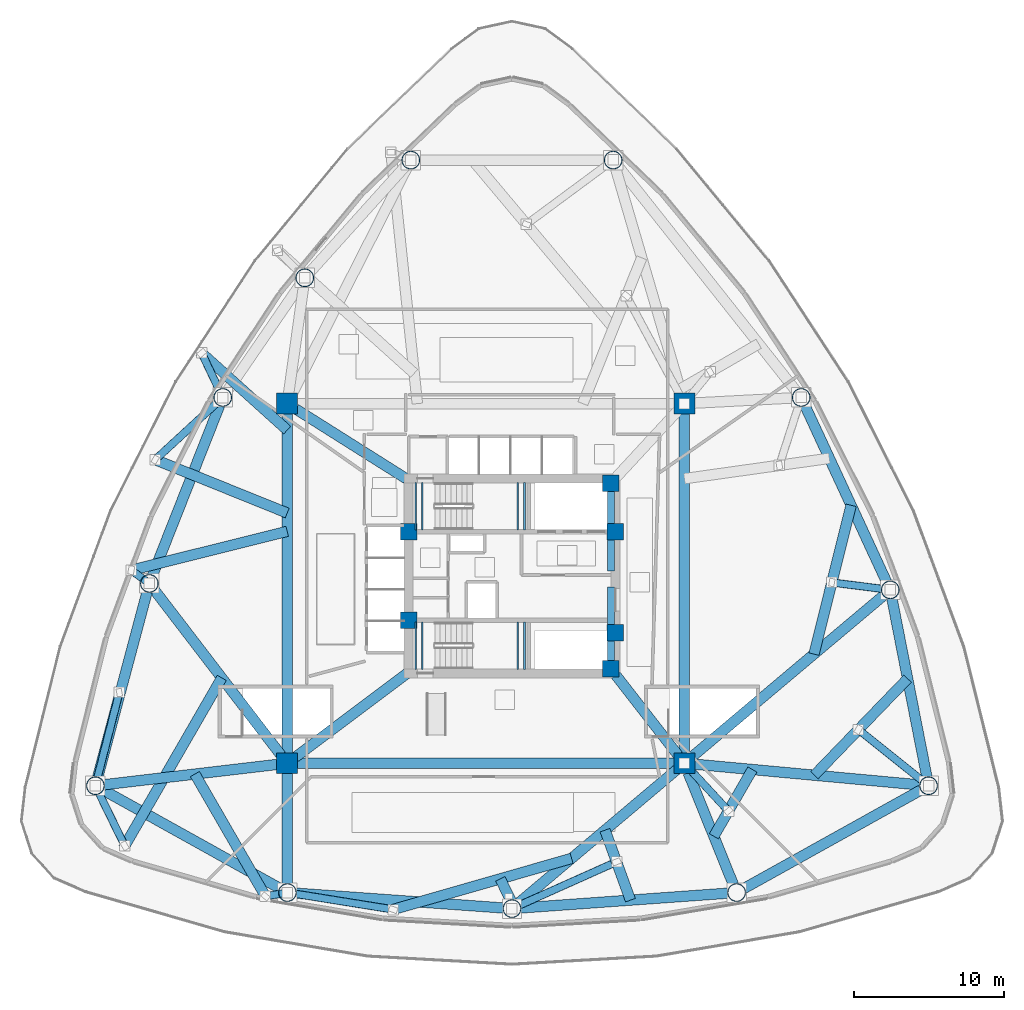
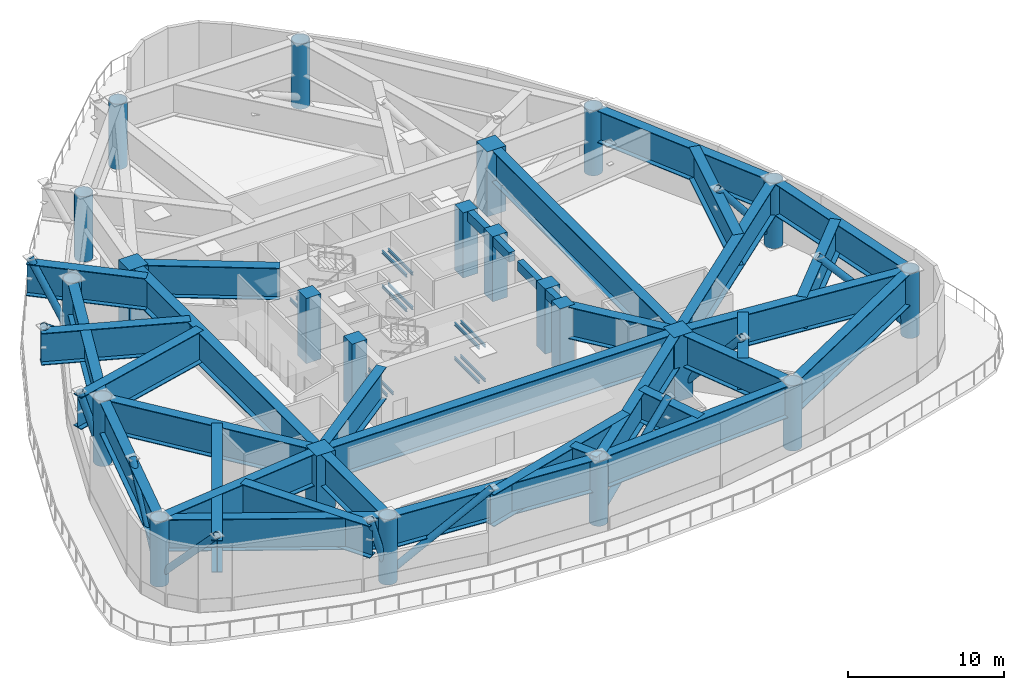
# One storey, part 1 of 9: 46 beams, 22 columns, 11 members.
"""IFC4 building model written with IfcOpenShell, lengths in metres."""

from ifc_helpers import new_model, si_unit, direction, frame, origin, origin_2d, place, context, subcontext, project, spatial, rectangle, hollow_circle, i_section, extrude, material, material_profile, profile_set, type_object, element, save


model = new_model("IFC4")

# Units and contexts
model_context = context("Model", 3, precision=1e-05, world=origin(), true_north=direction((0.0, 1.0)))
body_context = subcontext(model_context, "Body", "Model", "MODEL_VIEW")
ifc_project = project(units=[si_unit("LENGTHUNIT", "METRE"), si_unit("AREAUNIT", "SQUARE_METRE"), si_unit("VOLUMEUNIT", "CUBIC_METRE"), si_unit("PLANEANGLEUNIT", "RADIAN"), si_unit("MASSUNIT", "GRAM", prefix="KILO")], contexts=[model_context])

# Site, building, storey
site_placement = place(None, origin())
site = spatial("IfcSite", under=ifc_project, at=site_placement, CompositionType="ELEMENT")
building_placement = place(site_placement, origin())
building = spatial("IfcBuilding", under=site, at=building_placement, Name="Tavelor Broadcast Tower", CompositionType="ELEMENT")
storey_placement = place(building_placement, frame((0.0, 0.0, 22.199951171875)))
storey = spatial("IfcBuildingStorey", under=building, at=storey_placement, Name="L04", CompositionType="ELEMENT", Elevation=22.199951171875)

# Columns
ifc_material_1 = material(Name="Concrete C60/75", Category="concrete")
ifc_material_profile_1 = material_profile(ifc_material_1, rectangle(XDim=1.10009765625, YDim=1.10009765625, at=origin_2d()), Name="RC 1100x1100")
ifc_profile_set_1 = profile_set([ifc_material_profile_1], Name="Concrete C60/75")
column_type_1 = type_object("IfcColumnType", Name="Core Embedded Composite Column RC1100", PredefinedType="COLUMN", material=ifc_profile_set_1)
for number, where, z_axis, x_axis, name in (
    (1, (43.10009765625, 47.949951171875, 0.0), (0.0, 0.0, 1.0), (1.0, 0.0, 0.0), "L04 Core Embedded Column 1"),
    (2, (56.89990234375, 47.949951171875, 0.0), (0.0, 0.0, 1.0), (1.0, 0.0, 0.0), "L04 Core Embedded Column 2"),
    (3, (56.60009765625, 51.199951171875, 0.0), (0.0, 0.0, 1.0), (1.0, 0.0, 0.0), "L04 Core Embedded Column 3"),
    (4, (43.10009765625, 42.050048828125, 0.0), (0.0, 0.0, 1.0), (1.0, 0.0, 0.0), "L04 Core Embedded Column 4"),
    (5, (56.89990234375, 41.199951171875, 0.0), (0.0, 0.0, 1.0), (1.0, 0.0, 0.0), "L04 Core Embedded Column 5"),
    (6, (56.60009765625, 38.800048828125, 0.0), (0.0, 0.0, 1.0), (1.0, 0.0, 0.0), "L04 Core Embedded Column 6"),
):
    element("IfcColumn", number, at=place(storey_placement, frame(where, z_axis=z_axis, x_axis=x_axis)), inside=storey, type_object=column_type_1, Name=name, PredefinedType="COLUMN", context=body_context, shape_type="SweptSolid", body=[
        extrude(rectangle(XDim=1.10009765625, YDim=1.10009765625, at=origin_2d()), origin(), (0.0, 0.0, 1.0), 5.10009765625),
    ])
ifc_material_profile_2 = material_profile(ifc_material_1, rectangle(XDim=1.39990234375, YDim=1.39990234375, at=origin_2d()), Name="RC 1400x1400")
ifc_profile_set_2 = profile_set([ifc_material_profile_2], Name="Concrete C60/75")
column_type_2 = type_object("IfcColumnType", Name="Podium Composite Mega Column RC1400", PredefinedType="COLUMN", material=ifc_profile_set_2)
for number, where, z_axis, x_axis, name in (
    (7, (35.0, 32.5, 0.0), (0.0, 0.0, 1.0), (1.0, 0.0, 0.0), "L04 Studio Inner Mega Column 1"),
    (8, (61.5, 32.5, 0.0), (0.0, 0.0, 1.0), (1.0, 0.0, 0.0), "L04 Studio Inner Mega Column 2"),
    (9, (61.5, 56.5, 0.0), (0.0, 0.0, 1.0), (1.0, 0.0, 0.0), "L04 Studio Inner Mega Column 3"),
    (10, (35.0, 56.5, 0.0), (0.0, 0.0, 1.0), (1.0, 0.0, 0.0), "L04 Studio Inner Mega Column 4"),
):
    element("IfcColumn", number, at=place(storey_placement, frame(where, z_axis=z_axis, x_axis=x_axis)), inside=storey, type_object=column_type_2, Name=name, PredefinedType="COLUMN", context=body_context, shape_type="SweptSolid", body=[
        extrude(rectangle(XDim=1.39990234375, YDim=1.39990234375, at=origin_2d()), origin(), (0.0, 0.0, 1.0), 5.10009765625),
    ])
ifc_material_2 = material(Name="Steel S460", Category="steel")
ifc_material_profile_3 = material_profile(ifc_material_2, hollow_circle(Radius=0.609619140625, WallThickness=0.050048828125, at=origin_2d()), Name="CHS 1219x50")
ifc_profile_set_3 = profile_set([ifc_material_profile_3], Name="Steel S460")
column_type_3 = type_object("IfcColumnType", Name="Podium Perimeter Mega Column CHS1219", PredefinedType="COLUMN", material=ifc_profile_set_3)
for number, where, z_axis, x_axis, name in (
    (11, (43.247314453125, 72.7509765625, 0.0), (0.0, 0.0, 1.0), (1.0, 0.0, 0.0), "L04 Podium Perimeter Mega Column 1"),
    (12, (36.170166015625, 64.893310546875, 0.0), (0.0, 0.0, 1.0), (1.0, 0.0, 0.0), "L04 Podium Perimeter Mega Column 2"),
    (13, (30.69921875, 56.9111328125, 0.0), (0.0, 0.0, 1.0), (1.0, 0.0, 0.0), "L04 Podium Perimeter Mega Column 3"),
    (14, (25.800048828125, 44.5, 0.0), (0.0, 0.0, 1.0), (1.0, 0.0, 0.0), "L04 Podium Perimeter Mega Column 4"),
    (15, (22.199951171875, 31.0, 0.0), (0.0, 0.0, 1.0), (1.0, 0.0, 0.0), "L04 Podium Perimeter Mega Column 5"),
    (16, (35.01220703125, 23.87109375, 0.0), (0.0, 0.0, 1.0), (1.0, 0.0, 0.0), "L04 Podium Perimeter Mega Column 6"),
    (17, (50.0, 22.800048828125, 0.0), (0.0, 0.0, 1.0), (1.0, 0.0, 0.0), "L04 Podium Perimeter Mega Column 7"),
    (18, (64.98779296875, 23.87109375, 0.0), (0.0, 0.0, 1.0), (1.0, 0.0, 0.0), "L04 Podium Perimeter Mega Column 8"),
    (19, (77.800048828125, 31.0, 0.0), (0.0, 0.0, 1.0), (1.0, 0.0, 0.0), "L04 Podium Perimeter Mega Column 9"),
    (20, (75.2412109375, 44.070068359375, 0.0), (0.0, 0.0, 1.0), (1.0, 0.0, 0.0), "L04 Podium Perimeter Mega Column 10"),
    (21, (69.30078125, 56.9111328125, 0.0), (0.0, 0.0, 1.0), (1.0, 0.0, 0.0), "L04 Podium Perimeter Mega Column 11"),
    (22, (56.752685546875, 72.7509765625, 0.0), (0.0, 0.0, 1.0), (1.0, 0.0, 0.0), "L04 Podium Perimeter Mega Column 12"),
):
    element("IfcColumn", number, at=place(storey_placement, frame(where, z_axis=z_axis, x_axis=x_axis)), inside=storey, type_object=column_type_3, Name=name, PredefinedType="COLUMN", context=body_context, shape_type="SweptSolid", body=[
        extrude(hollow_circle(Radius=0.609619140625, WallThickness=0.050048828125, at=origin_2d()), origin(), (0.0, 0.0, 1.0), 5.10009765625),
    ])

# Beams
ifc_material_3 = material(Name="Concrete C40/50", Category="concrete")
ifc_material_profile_4 = material_profile(ifc_material_3, rectangle(XDim=0.449951171875, YDim=0.75, at=origin_2d()), Name="RC 450x750")
ifc_profile_set_4 = profile_set([ifc_material_profile_4], Name="Concrete C40/50")
beam_type_1 = type_object("IfcBeamType", Name="Basement Core Trim Beam 450x750", PredefinedType="BEAM", material=ifc_profile_set_4)
beam_1_placement = place(storey_placement, frame((56.60009765625, 45.327880859375, 4.72509765625), z_axis=(0.0, 1.0, 0.0), x_axis=(-1.0, 0.0, 0.0)))
element("IfcBeam", 23, at=beam_1_placement, inside=storey, type_object=beam_type_1, Name="L04 Core East-N Tie Girder", PredefinedType="BEAM", context=body_context, shape_type="SweptSolid", body=[
    extrude(rectangle(XDim=0.449951171875, YDim=0.75, at=origin_2d()), origin(), (0.0, 0.0, 1.0), 5.34423828125),
])
beam_2_placement = place(storey_placement, frame((56.60009765625, 39.327880859375, 4.72509765625), z_axis=(0.0, 1.0, 0.0), x_axis=(-1.0, 0.0, 0.0)))
element("IfcBeam", 24, at=beam_2_placement, inside=storey, type_object=beam_type_1, Name="L04 Core East-S Tie Girder", PredefinedType="BEAM", context=body_context, shape_type="SweptSolid", body=[
    extrude(rectangle(XDim=0.449951171875, YDim=0.75, at=origin_2d()), origin(), (0.0, 0.0, 1.0), 4.944091796875),
])
ifc_material_profile_5 = material_profile(ifc_material_2, i_section(OverallWidth=0.699951171875, OverallDepth=2.5, WebThickness=0.031982421875, FlangeThickness=0.052001953125, at=origin_2d()), Name="PG 2500x700")
ifc_profile_set_5 = profile_set([ifc_material_profile_5], Name="Steel S460")
beam_type_2 = type_object("IfcBeamType", Name="Opposite Slide Transfer Girder HEB900", PredefinedType="BEAM", material=ifc_profile_set_5)
beam_3_placement = place(storey_placement, frame((35.0, 54.732177734375, 3.85009765625), z_axis=(-0.743144324585, 0.669131162656, 0.0), x_axis=(-0.669131162656, -0.743144324585, 0.0)))
element("IfcBeam", 25, at=beam_3_placement, inside=storey, type_object=beam_type_2, Name="L04 Cantilever Transfer Girder 03", PredefinedType="BEAM", context=body_context, shape_type="SweptSolid", body=[
    extrude(i_section(OverallWidth=0.699951171875, OverallDepth=2.5, WebThickness=0.031982421875, FlangeThickness=0.052001953125, at=origin_2d()), origin(), (0.0, 0.0, 1.0), 7.860595703125),
])
beam_4_placement = place(storey_placement, frame((35.0, 49.198486328125, 3.85009765625), z_axis=(-0.92718256172, 0.374609793307, 0.0), x_axis=(-0.374609793307, -0.92718256172, 0.0)))
element("IfcBeam", 26, at=beam_4_placement, inside=storey, type_object=beam_type_2, Name="L04 Cantilever Transfer Girder 04", PredefinedType="BEAM", context=body_context, shape_type="SweptSolid", body=[
    extrude(i_section(OverallWidth=0.699951171875, OverallDepth=2.5, WebThickness=0.031982421875, FlangeThickness=0.052001953125, at=origin_2d()), origin(), (0.0, 0.0, 1.0), 9.6826171875),
])
beam_5_placement = place(storey_placement, frame((35.0, 47.976318359375, 3.85009765625), z_axis=(-0.970293706629, -0.241929995817, 0.0), x_axis=(0.241929995817, -0.970293706629, 0.0)))
element("IfcBeam", 27, at=beam_5_placement, inside=storey, type_object=beam_type_2, Name="L04 Cantilever Transfer Girder 05", PredefinedType="BEAM", context=body_context, shape_type="SweptSolid", body=[
    extrude(i_section(OverallWidth=0.699951171875, OverallDepth=2.5, WebThickness=0.031982421875, FlangeThickness=0.052001953125, at=origin_2d()), origin(), (0.0, 0.0, 1.0), 10.90869140625),
])
beam_6_placement = place(storey_placement, frame((30.630859375, 38.198974609375, 3.85009765625), z_axis=(-0.500002654726, -0.866023871072, 0.0), x_axis=(0.866023871072, -0.500002654726, 0.0)))
element("IfcBeam", 28, at=beam_6_placement, inside=storey, type_object=beam_type_2, Name="L04 Cantilever Transfer Girder 07", PredefinedType="BEAM", context=body_context, shape_type="SweptSolid", body=[
    extrude(i_section(OverallWidth=0.699951171875, OverallDepth=2.5, WebThickness=0.031982421875, FlangeThickness=0.052001953125, at=origin_2d()), origin(), (0.0, 0.0, 1.0), 13.12353515625),
])
beam_7_placement = place(storey_placement, frame((28.83837890625, 31.77783203125, 3.85009765625), z_axis=(0.500001886891, -0.866024314385, 0.0), x_axis=(0.866024314385, 0.500001886891, 0.0)))
element("IfcBeam", 29, at=beam_7_placement, inside=storey, type_object=beam_type_2, Name="L04 Cantilever Transfer Girder 08", PredefinedType="BEAM", context=body_context, shape_type="SweptSolid", body=[
    extrude(i_section(OverallWidth=0.699951171875, OverallDepth=2.5, WebThickness=0.031982421875, FlangeThickness=0.052001953125, at=origin_2d()), origin(), (0.0, 0.0, 1.0), 9.60498046875),
])
beam_8_placement = place(storey_placement, frame((53.97607421875, 26.15380859375, 3.85009765625), z_axis=(-0.961258024559, -0.275650159116, 0.0), x_axis=(0.275650159116, -0.961258024559, 0.0)))
element("IfcBeam", 30, at=beam_8_placement, inside=storey, type_object=beam_type_2, Name="L04 Cantilever Transfer Girder 09", PredefinedType="BEAM", context=body_context, shape_type="SweptSolid", body=[
    extrude(i_section(OverallWidth=0.699951171875, OverallDepth=2.5, WebThickness=0.031982421875, FlangeThickness=0.052001953125, at=origin_2d()), origin(), (0.0, 0.0, 1.0), 12.562744140625),
])
beam_9_placement = place(storey_placement, frame((50.131591796875, 22.910888671875, 3.85009765625), z_axis=(-0.438405215109, 0.89877742927, 0.0), x_axis=(-0.89877742927, -0.438405215109, 0.0)))
element("IfcBeam", 31, at=beam_9_placement, inside=storey, type_object=beam_type_2, Name="L04 Transfer Header Girder 10", PredefinedType="BEAM", context=body_context, shape_type="SweptSolid", body=[
    extrude(i_section(OverallWidth=0.699951171875, OverallDepth=2.5, WebThickness=0.031982421875, FlangeThickness=0.052001953125, at=origin_2d()), origin(), (0.0, 0.0, 1.0), 2.08935546875),
])
beam_10_placement = place(storey_placement, frame((57.906005859375, 23.364990234375, 3.85009765625), z_axis=(-0.34201916116, 0.939692978264, 0.0), x_axis=(-0.939692978264, -0.34201916116, 0.0)))
element("IfcBeam", 32, at=beam_10_placement, inside=storey, type_object=beam_type_2, Name="L04 Transfer Header Girder 11", PredefinedType="BEAM", context=body_context, shape_type="SweptSolid", body=[
    extrude(i_section(OverallWidth=0.699951171875, OverallDepth=2.5, WebThickness=0.031982421875, FlangeThickness=0.052001953125, at=origin_2d()), origin(), (0.0, 0.0, 1.0), 4.9697265625),
])
beam_11_placement = place(storey_placement, frame((63.469482421875, 27.627685546875, 3.85009765625), z_axis=(0.499973097854, 0.866040935189, 0.0), x_axis=(-0.866040935189, 0.499973097854, 0.0)))
element("IfcBeam", 33, at=beam_11_placement, inside=storey, type_object=beam_type_2, Name="L04 Transfer Header Girder 12", PredefinedType="BEAM", context=body_context, shape_type="SweptSolid", body=[
    extrude(i_section(OverallWidth=0.699951171875, OverallDepth=2.5, WebThickness=0.031982421875, FlangeThickness=0.052001953125, at=origin_2d()), origin(), (0.0, 0.0, 1.0), 5.143310546875),
])
beam_12_placement = place(storey_placement, frame((70.179443359375, 31.701416015625, 3.85009765625), z_axis=(0.694665045162, 0.719333354593, 0.0), x_axis=(-0.719333354593, 0.694665045162, 0.0)))
element("IfcBeam", 34, at=beam_12_placement, inside=storey, type_object=beam_type_2, Name="L04 Transfer Header Girder 13", PredefinedType="BEAM", context=body_context, shape_type="SweptSolid", body=[
    extrude(i_section(OverallWidth=0.699951171875, OverallDepth=2.5, WebThickness=0.031982421875, FlangeThickness=0.052001953125, at=origin_2d()), origin(), (0.0, 0.0, 1.0), 8.956787109375),
])
beam_13_placement = place(storey_placement, frame((70.152587890625, 39.785400390625, 3.85009765625), z_axis=(0.241923860812, 0.970295236291, 0.0), x_axis=(-0.970295236291, 0.241923860812, 0.0)))
element("IfcBeam", 35, at=beam_13_placement, inside=storey, type_object=beam_type_2, Name="L04 Transfer Header Girder 14", PredefinedType="BEAM", context=body_context, shape_type="SweptSolid", body=[
    extrude(i_section(OverallWidth=0.699951171875, OverallDepth=2.5, WebThickness=0.031982421875, FlangeThickness=0.052001953125, at=origin_2d()), origin(), (0.0, 0.0, 1.0), 10.23583984375),
])
ifc_material_profile_6 = material_profile(ifc_material_2, i_section(OverallWidth=0.699951171875, OverallDepth=2.5, WebThickness=0.031982421875, FlangeThickness=0.052001953125, at=origin_2d()), Name="PG 2500x700")
ifc_profile_set_6 = profile_set([ifc_material_profile_6], Name="Steel S460")
beam_type_3 = type_object("IfcBeamType", Name="Podium Studio Transfer Truss Chord HEB1000", PredefinedType="BEAM", material=ifc_profile_set_6)
beam_14_placement = place(storey_placement, frame((35.679931640625, 32.5, 3.85009765625), z_axis=(1.0, 0.0, 0.0), x_axis=(0.0, 1.0, 0.0)))
element("IfcBeam", 36, at=beam_14_placement, inside=storey, type_object=beam_type_3, Name="L04 Studio Ring Girder 1", PredefinedType="BEAM", context=body_context, shape_type="SweptSolid", body=[
    extrude(i_section(OverallWidth=0.699951171875, OverallDepth=2.5, WebThickness=0.031982421875, FlangeThickness=0.052001953125, at=origin_2d()), origin(), (0.0, 0.0, 1.0), 25.14013671875),
])
for number, where, z_axis, x_axis, name in (
    (37, (61.5, 33.179931640625, 3.85009765625), (0.0, 1.0, 0.0), (-1.0, 0.0, 0.0), "L04 Studio Ring Girder 2"),
    (38, (35.0, 55.820068359375, 3.85009765625), (0.0, -1.0, 0.0), (1.0, 0.0, 0.0), "L04 Studio Ring Girder 4"),
):
    element("IfcBeam", number, at=place(storey_placement, frame(where, z_axis=z_axis, x_axis=x_axis)), inside=storey, type_object=beam_type_3, Name=name, PredefinedType="BEAM", context=body_context, shape_type="SweptSolid", body=[
        extrude(i_section(OverallWidth=0.699951171875, OverallDepth=2.5, WebThickness=0.031982421875, FlangeThickness=0.052001953125, at=origin_2d()), origin(), (0.0, 0.0, 1.0), 22.64013671875),
    ])
beam_15_placement = place(storey_placement, frame((35.5439453125, 32.907958984375, 3.85009765625), z_axis=(0.8, 0.6, 0.0), x_axis=(-0.6, 0.8, 0.0)))
element("IfcBeam", 39, at=beam_15_placement, inside=storey, type_object=beam_type_3, Name="L04 Core Tie Girder 1", PredefinedType="BEAM", context=body_context, shape_type="SweptSolid", body=[
    extrude(i_section(OverallWidth=0.699951171875, OverallDepth=2.5, WebThickness=0.031982421875, FlangeThickness=0.052001953125, at=origin_2d()), origin(), (0.0, 0.0, 1.0), 9.2919921875),
])
beam_16_placement = place(storey_placement, frame((61.08251953125, 33.036865234375, 3.85009765625), z_axis=(-0.613928136126, 0.789361921854, 0.0), x_axis=(-0.789361921854, -0.613928136126, 0.0)))
element("IfcBeam", 40, at=beam_16_placement, inside=storey, type_object=beam_type_3, Name="L04 Core Tie Girder 2", PredefinedType="BEAM", context=body_context, shape_type="SweptSolid", body=[
    extrude(i_section(OverallWidth=0.699951171875, OverallDepth=2.5, WebThickness=0.031982421875, FlangeThickness=0.052001953125, at=origin_2d()), origin(), (0.0, 0.0, 1.0), 6.773193359375),
])
beam_17_placement = place(storey_placement, frame((35.5751953125, 56.13720703125, 3.85009765625), z_axis=(0.845723551993, -0.533621282938, 0.0), x_axis=(0.533621282938, 0.845723551993, 0.0)))
element("IfcBeam", 41, at=beam_17_placement, inside=storey, type_object=beam_type_3, Name="L04 Core Tie Girder 4", PredefinedType="BEAM", context=body_context, shape_type="SweptSolid", body=[
    extrude(i_section(OverallWidth=0.699951171875, OverallDepth=2.5, WebThickness=0.031982421875, FlangeThickness=0.052001953125, at=origin_2d()), origin(), (0.0, 0.0, 1.0), 8.724365234375),
])
beam_18_placement = place(storey_placement, frame((30.486083984375, 56.37158203125, 3.85009765625), z_axis=(-0.367164709683, -0.930155941745, 0.0), x_axis=(0.930155941745, -0.367164709683, 0.0)))
element("IfcBeam", 42, at=beam_18_placement, inside=storey, type_object=beam_type_3, Name="L04 Podium Spandrel Girder 3", PredefinedType="BEAM", context=body_context, shape_type="SweptSolid", body=[
    extrude(i_section(OverallWidth=0.699951171875, OverallDepth=2.5, WebThickness=0.031982421875, FlangeThickness=0.052001953125, at=origin_2d()), origin(), (0.0, 0.0, 1.0), 12.182861328125),
])
beam_19_placement = place(storey_placement, frame((25.650634765625, 43.939697265625, 3.85009765625), z_axis=(-0.257669766751, -0.966233041922, 0.0), x_axis=(0.966233041922, -0.257669766751, 0.0)))
element("IfcBeam", 43, at=beam_19_placement, inside=storey, type_object=beam_type_3, Name="L04 Podium Spandrel Girder 4", PredefinedType="BEAM", context=body_context, shape_type="SweptSolid", body=[
    extrude(i_section(OverallWidth=0.699951171875, OverallDepth=2.5, WebThickness=0.031982421875, FlangeThickness=0.052001953125, at=origin_2d()), origin(), (0.0, 0.0, 1.0), 12.81201171875),
])
beam_20_placement = place(storey_placement, frame((34.586181640625, 33.039794921875, 3.85009765625), z_axis=(-0.608432283213, 0.793605794298, 0.0), x_axis=(-0.793605794298, -0.608432283213, 0.0)))
element("IfcBeam", 44, at=beam_20_placement, inside=storey, type_object=beam_type_3, Name="L04 Clear-Span Studio Girder 4", PredefinedType="BEAM", context=body_context, shape_type="SweptSolid", body=[
    extrude(i_section(OverallWidth=0.699951171875, OverallDepth=2.5, WebThickness=0.031982421875, FlangeThickness=0.052001953125, at=origin_2d()), origin(), (0.0, 0.0, 1.0), 13.86083984375),
])
beam_21_placement = place(storey_placement, frame((22.706787109375, 30.718017578125, 3.85009765625), z_axis=(0.873837244076, -0.486218542289, 0.0), x_axis=(0.486218542289, 0.873837244076, 0.0)))
element("IfcBeam", 45, at=beam_21_placement, inside=storey, type_object=beam_type_3, Name="L04 Podium Spandrel Girder 5", PredefinedType="BEAM", context=body_context, shape_type="SweptSolid", body=[
    extrude(i_section(OverallWidth=0.699951171875, OverallDepth=2.5, WebThickness=0.031982421875, FlangeThickness=0.052001953125, at=origin_2d()), origin(), (0.0, 0.0, 1.0), 13.501953125),
])
beam_22_placement = place(storey_placement, frame((34.32470703125, 32.4208984375, 3.85009765625), z_axis=(-0.993201817643, -0.116405109127, 0.0), x_axis=(0.116405109127, -0.993201817643, 0.0)))
element("IfcBeam", 46, at=beam_22_placement, inside=storey, type_object=beam_type_3, Name="L04 Clear-Span Studio Girder 5", PredefinedType="BEAM", context=body_context, shape_type="SweptSolid", body=[
    extrude(i_section(OverallWidth=0.699951171875, OverallDepth=2.5, WebThickness=0.031982421875, FlangeThickness=0.052001953125, at=origin_2d()), origin(), (0.0, 0.0, 1.0), 11.627685546875),
])
beam_23_placement = place(storey_placement, frame((35.590576171875, 23.82958984375, 3.85009765625), z_axis=(0.997456822591, -0.07127332647, 0.0), x_axis=(0.07127332647, 0.997456822591, 0.0)))
element("IfcBeam", 47, at=beam_23_placement, inside=storey, type_object=beam_type_3, Name="L04 Podium Spandrel Girder 6", PredefinedType="BEAM", context=body_context, shape_type="SweptSolid", body=[
    extrude(i_section(OverallWidth=0.699951171875, OverallDepth=2.5, WebThickness=0.031982421875, FlangeThickness=0.052001953125, at=origin_2d()), origin(), (0.0, 0.0, 1.0), 13.865966796875),
])
beam_24_placement = place(storey_placement, frame((35.0009765625, 31.820068359375, 3.85009765625), z_axis=(0.00139146433, -0.999999031913, 0.0), x_axis=(0.999999031913, 0.00139146433, 0.0)))
element("IfcBeam", 48, at=beam_24_placement, inside=storey, type_object=beam_type_3, Name="L04 Clear-Span Studio Girder 6", PredefinedType="BEAM", context=body_context, shape_type="SweptSolid", body=[
    extrude(i_section(OverallWidth=0.699951171875, OverallDepth=2.5, WebThickness=0.031982421875, FlangeThickness=0.052001953125, at=origin_2d()), origin(), (0.0, 0.0, 1.0), 7.369140625),
])
beam_25_placement = place(storey_placement, frame((50.57861328125, 22.84130859375, 3.85009765625), z_axis=(0.997456822591, 0.07127332647, 0.0), x_axis=(-0.07127332647, 0.997456822591, 0.0)))
element("IfcBeam", 49, at=beam_25_placement, inside=storey, type_object=beam_type_3, Name="L04 Podium Spandrel Girder 7", PredefinedType="BEAM", context=body_context, shape_type="SweptSolid", body=[
    extrude(i_section(OverallWidth=0.699951171875, OverallDepth=2.5, WebThickness=0.031982421875, FlangeThickness=0.052001953125, at=origin_2d()), origin(), (0.0, 0.0, 1.0), 13.865966796875),
])
beam_26_placement = place(storey_placement, frame((60.980224609375, 32.0615234375, 3.85009765625), z_axis=(-0.764399771003, -0.644742576608, 0.0), x_axis=(0.644742576608, -0.764399771003, 0.0)))
element("IfcBeam", 50, at=beam_26_placement, inside=storey, type_object=beam_type_3, Name="L04 Clear-Span Studio Girder 7", PredefinedType="BEAM", context=body_context, shape_type="SweptSolid", body=[
    extrude(i_section(OverallWidth=0.699951171875, OverallDepth=2.5, WebThickness=0.031982421875, FlangeThickness=0.052001953125, at=origin_2d()), origin(), (0.0, 0.0, 1.0), 13.784423828125),
])
beam_27_placement = place(storey_placement, frame((65.49462890625, 24.153076171875, 3.85009765625), z_axis=(0.873837244076, 0.486218542289, 0.0), x_axis=(-0.486218542289, 0.873837244076, 0.0)))
element("IfcBeam", 51, at=beam_27_placement, inside=storey, type_object=beam_type_3, Name="L04 Podium Spandrel Girder 8", PredefinedType="BEAM", context=body_context, shape_type="SweptSolid", body=[
    extrude(i_section(OverallWidth=0.699951171875, OverallDepth=2.5, WebThickness=0.031982421875, FlangeThickness=0.052001953125, at=origin_2d()), origin(), (0.0, 0.0, 1.0), 13.501953125),
])
beam_28_placement = place(storey_placement, frame((61.7548828125, 31.86962890625, 3.85009765625), z_axis=(0.374735912078, -0.927131595945, 0.0), x_axis=(0.927131595945, 0.374735912078, 0.0)))
element("IfcBeam", 52, at=beam_28_placement, inside=storey, type_object=beam_type_3, Name="L04 Clear-Span Studio Girder 8", PredefinedType="BEAM", context=body_context, shape_type="SweptSolid", body=[
    extrude(i_section(OverallWidth=0.699951171875, OverallDepth=2.5, WebThickness=0.031982421875, FlangeThickness=0.052001953125, at=origin_2d()), origin(), (0.0, 0.0, 1.0), 8.04736328125),
])
beam_29_placement = place(storey_placement, frame((77.688720703125, 31.569091796875, 3.85009765625), z_axis=(-0.192144879801, 0.981366570231, 0.0), x_axis=(-0.981366570231, -0.192144879801, 0.0)))
element("IfcBeam", 53, at=beam_29_placement, inside=storey, type_object=beam_type_3, Name="L04 Podium Spandrel Girder 9", PredefinedType="BEAM", context=body_context, shape_type="SweptSolid", body=[
    extrude(i_section(OverallWidth=0.699951171875, OverallDepth=2.5, WebThickness=0.031982421875, FlangeThickness=0.052001953125, at=origin_2d()), origin(), (0.0, 0.0, 1.0), 12.158447265625),
])
beam_30_placement = place(storey_placement, frame((62.177001953125, 32.437744140625, 3.85009765625), z_axis=(0.995791126224, -0.09165169357, 0.0), x_axis=(0.09165169357, 0.995791126224, 0.0)))
element("IfcBeam", 54, at=beam_30_placement, inside=storey, type_object=beam_type_3, Name="L04 Clear-Span Studio Girder 9", PredefinedType="BEAM", context=body_context, shape_type="SweptSolid", body=[
    extrude(i_section(OverallWidth=0.699951171875, OverallDepth=2.5, WebThickness=0.031982421875, FlangeThickness=0.052001953125, at=origin_2d()), origin(), (0.0, 0.0, 1.0), 15.10888671875),
])
beam_31_placement = place(storey_placement, frame((74.997802734375, 44.596435546875, 3.85009765625), z_axis=(-0.419873312524, 0.90758272429, 0.0), x_axis=(-0.90758272429, -0.419873312524, 0.0)))
element("IfcBeam", 55, at=beam_31_placement, inside=storey, type_object=beam_type_3, Name="L04 Podium Spandrel Girder 10", PredefinedType="BEAM", context=body_context, shape_type="SweptSolid", body=[
    extrude(i_section(OverallWidth=0.699951171875, OverallDepth=2.5, WebThickness=0.031982421875, FlangeThickness=0.052001953125, at=origin_2d()), origin(), (0.0, 0.0, 1.0), 12.98876953125),
])
beam_32_placement = place(storey_placement, frame((62.020263671875, 32.93798828125, 3.85009765625), z_axis=(0.764950236253, 0.644089385145, 0.0), x_axis=(-0.644089385145, 0.764950236253, 0.0)))
element("IfcBeam", 56, at=beam_32_placement, inside=storey, type_object=beam_type_3, Name="L04 Clear-Span Studio Girder 10", PredefinedType="BEAM", context=body_context, shape_type="SweptSolid", body=[
    extrude(i_section(OverallWidth=0.699951171875, OverallDepth=2.5, WebThickness=0.031982421875, FlangeThickness=0.052001953125, at=origin_2d()), origin(), (0.0, 0.0, 1.0), 16.70361328125),
])

# Members
ifc_material_profile_7 = material_profile(ifc_material_2, hollow_circle(Radius=0.25390625, WallThickness=0.02490234375, at=origin_2d()), Name="CHS 508x25")
ifc_profile_set_7 = profile_set([ifc_material_profile_7], Name="Steel S460")
member_type = type_object("IfcMemberType", Name="Podium Transfer Truss Diagonal CHS508", PredefinedType="BRACE", material=ifc_profile_set_7)
member_1_placement = place(storey_placement, frame((30.69921875, 56.9111328125, 0.550048828125), z_axis=(-0.240352524367, 0.505728736851, 0.828534313564), x_axis=(-0.903186554224, -0.429248236186, 0.0)))
element("IfcMember", 57, at=member_1_placement, inside=storey, type_object=member_type, Name="L04 Podium Transfer Truss Diagonal 3", PredefinedType="BRACE", context=body_context, shape_type="SweptSolid", body=[
    extrude(hollow_circle(Radius=0.25390625, WallThickness=0.02490234375, at=origin_2d()), origin(), (0.0, 0.0, 1.0), 5.853759765625),
])
member_2_placement = place(storey_placement, frame((30.69921875, 56.9111328125, 0.550048828125), z_axis=(-0.576929288233, -0.531238412431, 0.620433997728), x_axis=(0.677376528661, -0.735636485242, 0.0)))
element("IfcMember", 58, at=member_2_placement, inside=storey, type_object=member_type, Name="L04 Podium Transfer Truss Diagonal 4", PredefinedType="BRACE", context=body_context, shape_type="SweptSolid", body=[
    extrude(hollow_circle(Radius=0.25390625, WallThickness=0.02490234375, at=origin_2d()), origin(), (0.0, 0.0, 1.0), 7.8173828125),
])
member_3_placement = place(storey_placement, frame((25.800048828125, 44.5, 0.550048828125), z_axis=(-0.238427482964, 0.17349363144, 0.955537699527), x_axis=(-0.588375359115, -0.808587927678, 0.0)))
element("IfcMember", 59, at=member_3_placement, inside=storey, type_object=member_type, Name="L04 Podium Transfer Truss Diagonal 5", PredefinedType="BRACE", context=body_context, shape_type="SweptSolid", body=[
    extrude(hollow_circle(Radius=0.25390625, WallThickness=0.02490234375, at=origin_2d()), origin(), (0.0, 0.0, 1.0), 5.07568359375),
])
member_4_placement = place(storey_placement, frame((22.199951171875, 31.0, 0.550048828125), z_axis=(0.198245607325, 0.772769389728, 0.602931297476), x_axis=(-0.968633819365, 0.248492502871, 0.0)))
element("IfcMember", 60, at=member_4_placement, inside=storey, type_object=member_type, Name="L04 Podium Transfer Truss Diagonal 6", PredefinedType="BRACE", context=body_context, shape_type="SweptSolid", body=[
    extrude(hollow_circle(Radius=0.25390625, WallThickness=0.02490234375, at=origin_2d()), origin(), (0.0, 0.0, 1.0), 8.044189453125),
])
member_5_placement = place(storey_placement, frame((22.199951171875, 31.0, 0.550048828125), z_axis=(0.297248307619, -0.608423763359, 0.735842352544), x_axis=(0.898502797747, 0.438967792032, 0.0)))
element("IfcMember", 61, at=member_5_placement, inside=storey, type_object=member_type, Name="L04 Podium Transfer Truss Diagonal 7", PredefinedType="BRACE", context=body_context, shape_type="SweptSolid", body=[
    extrude(hollow_circle(Radius=0.25390625, WallThickness=0.02490234375, at=origin_2d()), origin(), (0.0, 0.0, 1.0), 6.59130859375),
])
member_6_placement = place(storey_placement, frame((35.01220703125, 23.87109375, 0.550048828125), z_axis=(-0.288139538788, -0.050397944723, 0.956261289269), x_axis=(0.172292513431, -0.985045831327, 0.0)))
element("IfcMember", 62, at=member_6_placement, inside=storey, type_object=member_type, Name="L04 Podium Transfer Truss Diagonal 8", PredefinedType="BRACE", context=body_context, shape_type="SweptSolid", body=[
    extrude(hollow_circle(Radius=0.25390625, WallThickness=0.02490234375, at=origin_2d()), origin(), (0.0, 0.0, 1.0), 5.072021484375),
])
member_7_placement = place(storey_placement, frame((35.01220703125, 23.87109375, 0.550048828125), z_axis=(0.817192759933, -0.130849169188, 0.56131496331), x_axis=(0.158106344607, 0.987422089987, 0.0)))
element("IfcMember", 63, at=member_7_placement, inside=storey, type_object=member_type, Name="L04 Podium Transfer Truss Diagonal 9", PredefinedType="BRACE", context=body_context, shape_type="SweptSolid", body=[
    extrude(hollow_circle(Radius=0.25390625, WallThickness=0.02490234375, at=origin_2d()), origin(), (0.0, 0.0, 1.0), 8.640625),
])
member_8_placement = place(storey_placement, frame((50.0, 22.800048828125, 0.550048828125), z_axis=(0.770666187446, 0.344859025113, 0.535859944692), x_axis=(-0.408452223196, 0.912779700347, 0.0)))
element("IfcMember", 64, at=member_8_placement, inside=storey, type_object=member_type, Name="L04 Podium Transfer Truss Diagonal 11", PredefinedType="BRACE", context=body_context, shape_type="SweptSolid", body=[
    extrude(hollow_circle(Radius=0.25390625, WallThickness=0.02490234375, at=origin_2d()), origin(), (0.0, 0.0, 1.0), 9.051025390625),
])
member_9_placement = place(storey_placement, frame((61.5, 32.5, 0.550048828125), z_axis=(0.452418727155, -0.489529295385, 0.745438370544), x_axis=(0.734395414022, 0.678721869298, 0.0)))
element("IfcMember", 65, at=member_9_placement, inside=storey, type_object=member_type, Name="L04 Podium Transfer Truss Diagonal 12", PredefinedType="BRACE", context=body_context, shape_type="SweptSolid", body=[
    extrude(hollow_circle(Radius=0.25390625, WallThickness=0.02490234375, at=origin_2d()), origin(), (0.0, 0.0, 1.0), 6.50634765625),
])
member_10_placement = place(storey_placement, frame((77.800048828125, 31.0, 0.550048828125), z_axis=(-0.607185848111, 0.485514390488, 0.628968300061), x_axis=(-0.624511273054, -0.781015793585, 0.0)))
element("IfcMember", 66, at=member_10_placement, inside=storey, type_object=member_type, Name="L04 Podium Transfer Truss Diagonal 13", PredefinedType="BRACE", context=body_context, shape_type="SweptSolid", body=[
    extrude(hollow_circle(Radius=0.25390625, WallThickness=0.02490234375, at=origin_2d()), origin(), (0.0, 0.0, 1.0), 7.711181640625),
])
member_11_placement = place(storey_placement, frame((75.2412109375, 44.070068359375, 0.550048828125), z_axis=(-0.624403223284, 0.079248319888, 0.777071630255), x_axis=(-0.125908464269, -0.992041863343, 0.0)))
element("IfcMember", 67, at=member_11_placement, inside=storey, type_object=member_type, Name="L04 Podium Transfer Truss Diagonal 14", PredefinedType="BRACE", context=body_context, shape_type="SweptSolid", body=[
    extrude(hollow_circle(Radius=0.25390625, WallThickness=0.02490234375, at=origin_2d()), origin(), (0.0, 0.0, 1.0), 6.241455078125),
])

# Beams
ifc_material_4 = material(Name="Steel S355", Category="steel")
ifc_material_profile_8 = material_profile(ifc_material_4, i_section(OverallWidth=0.1201171875, OverallDepth=0.239990234375, WebThickness=0.006103515625, FlangeThickness=0.009765625, at=origin_2d()), Name="IPE 240")
ifc_profile_set_8 = profile_set([ifc_material_profile_8], Name="Steel S355")
beam_type_4 = type_object("IfcBeamType", Name="Stairwell Landing Support Trimmer Beam IPE240", PredefinedType="BEAM", material=ifc_profile_set_8)
for number, where, z_axis, x_axis, name in (
    (68, (50.385009765625, 48.06005859375, 1.03515625), (0.0, 1.0, 0.0), (-1.0, 0.0, 0.0), "L04 Stair Landing Support Beam 29"),
    (69, (50.824951171875, 48.06005859375, 1.03515625), (0.0, 1.0, 0.0), (-1.0, 0.0, 0.0), "L04 Stair Landing Support Beam 30"),
    (70, (43.574951171875, 48.06005859375, 2.385009765625), (0.0, 1.0, 0.0), (-1.0, 0.0, 0.0), "L04 Stair Landing Support Beam 31"),
    (71, (44.014892578125, 48.06005859375, 2.385009765625), (0.0, 1.0, 0.0), (-1.0, 0.0, 0.0), "L04 Stair Landing Support Beam 32"),
    (72, (50.385009765625, 48.06005859375, 3.735107421875), (0.0, 1.0, 0.0), (-1.0, 0.0, 0.0), "L04 Stair Landing Support Beam 33"),
    (73, (50.824951171875, 48.06005859375, 3.735107421875), (0.0, 1.0, 0.0), (-1.0, 0.0, 0.0), "L04 Stair Landing Support Beam 34"),
    (74, (50.385009765625, 38.760009765625, 1.03515625), (0.0, 1.0, 0.0), (-1.0, 0.0, 0.0), "L04 Stair Landing Support Beam 243"),
    (75, (50.824951171875, 38.760009765625, 1.03515625), (0.0, 1.0, 0.0), (-1.0, 0.0, 0.0), "L04 Stair Landing Support Beam 244"),
    (76, (43.574951171875, 38.760009765625, 2.385009765625), (0.0, 1.0, 0.0), (-1.0, 0.0, 0.0), "L04 Stair Landing Support Beam 245"),
    (77, (44.014892578125, 38.760009765625, 2.385009765625), (0.0, 1.0, 0.0), (-1.0, 0.0, 0.0), "L04 Stair Landing Support Beam 246"),
    (78, (50.385009765625, 38.760009765625, 3.735107421875), (0.0, 1.0, 0.0), (-1.0, 0.0, 0.0), "L04 Stair Landing Support Beam 247"),
    (79, (50.824951171875, 38.760009765625, 3.735107421875), (0.0, 1.0, 0.0), (-1.0, 0.0, 0.0), "L04 Stair Landing Support Beam 248"),
):
    element("IfcBeam", number, at=place(storey_placement, frame(where, z_axis=z_axis, x_axis=x_axis)), inside=storey, type_object=beam_type_4, Name=name, PredefinedType="BEAM", context=body_context, shape_type="SweptSolid", body=[
        extrude(i_section(OverallWidth=0.1201171875, OverallDepth=0.239990234375, WebThickness=0.006103515625, FlangeThickness=0.009765625, at=origin_2d()), origin(), (0.0, 0.0, 1.0), 3.179931640625),
    ])

save(model, "model.ifc")
